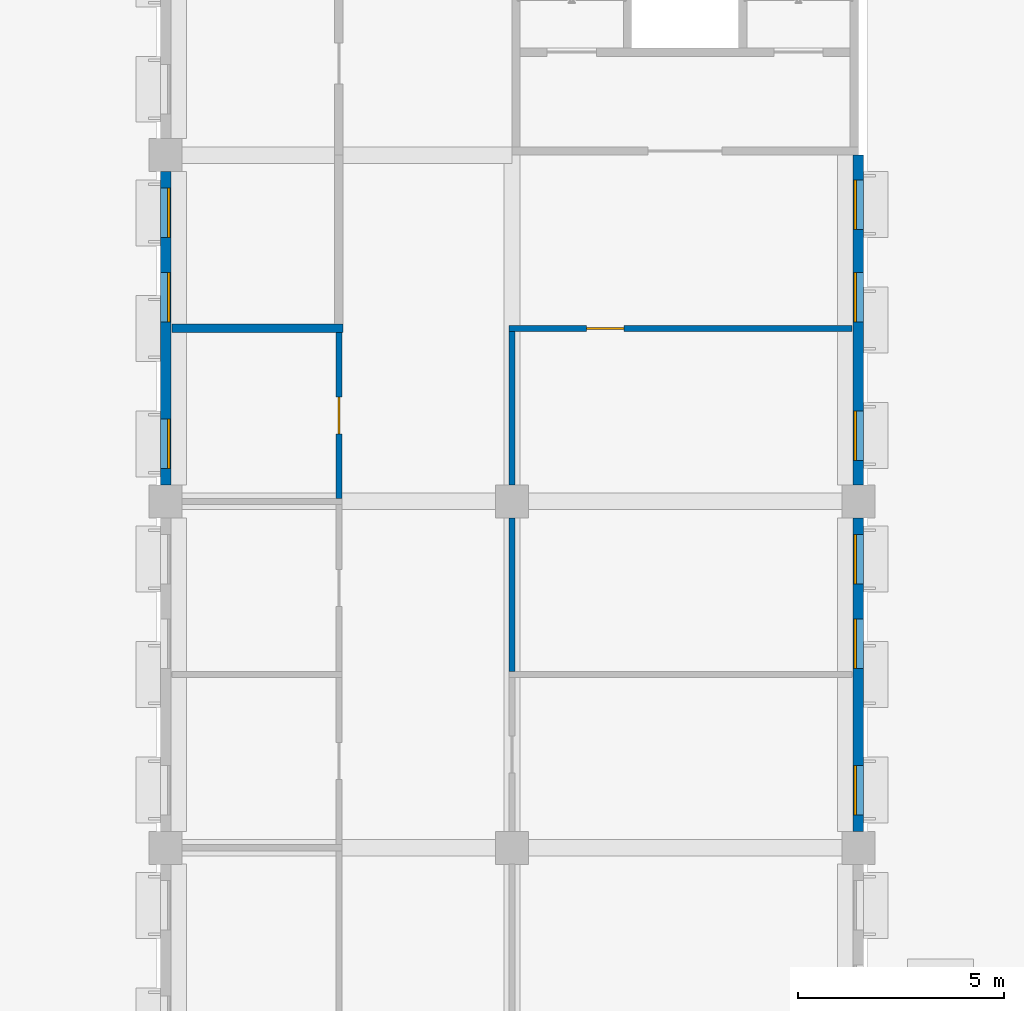
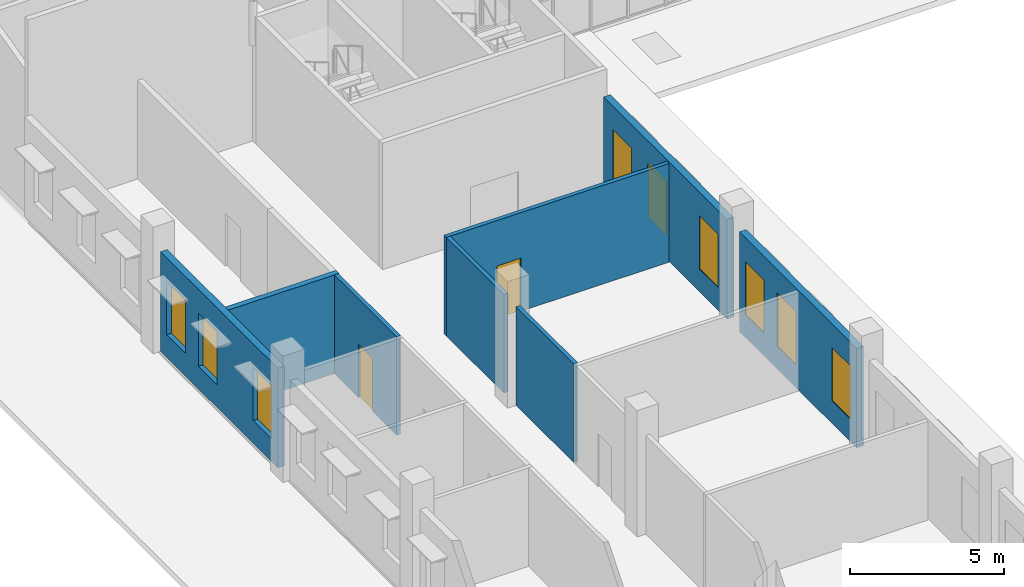
# One storey, part 31 of 101: 9 windows, 8 walls, 2 doors, 11 openings.
"""IFC4 building model written with IfcOpenShell, lengths in metres."""

from ifc_helpers import new_model, si_unit, direction, frame, frame_2d, origin, place, context, subcontext, project, spatial, rectangle, extrude, material, layer, layer_set, type_object, element, fill, save


model = new_model("IFC4")

# Units and contexts
model_context = context("Model", 3, precision=1e-05, world=origin(), true_north=direction((0.0, 1.0)))
body_context = subcontext(model_context, "Body", "Model", "MODEL_VIEW")
ifc_project = project(units=[si_unit("LENGTHUNIT", "METRE"), si_unit("AREAUNIT", "SQUARE_METRE"), si_unit("VOLUMEUNIT", "CUBIC_METRE"), si_unit("PLANEANGLEUNIT", "RADIAN"), si_unit("MASSUNIT", "GRAM", prefix="KILO")], contexts=[model_context])

# Site, building, storey
site_placement = place(None, origin())
site = spatial("IfcSite", under=ifc_project, at=site_placement, CompositionType="ELEMENT")
building_placement = place(site_placement, origin())
building = spatial("IfcBuilding", under=site, at=building_placement, Name="Almond Square Museum", CompositionType="ELEMENT")
storey_placement = place(building_placement, frame((0.0, 0.0, 5.5)))
storey = spatial("IfcBuildingStorey", under=building, at=storey_placement, Name="L01", CompositionType="ELEMENT", Elevation=5.5)

# Wall
ifc_material_1 = material(Name="Concrete blockwork 200", Category="masonry")
ifc_layer_1 = layer(ifc_material_1, 0.199951171875)
ifc_layer_set_1 = layer_set([ifc_layer_1], Name="Concrete blockwork 200")
wall_type_1 = type_object("IfcWallType", Name="Fire partition 200 blockwork", PredefinedType="PARTITIONING", material=ifc_layer_set_1)
wall_1_placement = place(storey_placement, frame((6.14990234375, 63.0, 0.0), z_axis=(0.0, 0.0, 1.0), x_axis=(1.0, 0.0, 0.0)))
element("IfcWall", 1, at=wall_1_placement, inside=storey, type_object=wall_type_1, Name="L01 partition 32", PredefinedType="PARTITIONING", context=body_context, shape_type="SweptSolid", body=[
    extrude(rectangle(XDim=4.150146484375, YDim=0.199951171875, at=frame_2d((2.0751953125, 0.0))), origin(), (0.0, 0.0, 1.0), 3.89990234375),
])

# Wall, opening, door
ifc_material_2 = material(Name="Plasterboard on steel stud", Category="steel")
ifc_layer_2 = layer(ifc_material_2, 0.14990234375)
ifc_layer_set_2 = layer_set([ifc_layer_2], Name="Plasterboard on steel stud")
wall_type_2 = type_object("IfcWallType", Name="Partition 150 plasterboard on steel stud", PredefinedType="PARTITIONING", material=ifc_layer_set_2)
wall_2_placement = place(storey_placement, frame((10.199951171875, 58.875, 0.0), z_axis=(0.0, 0.0, 1.0), x_axis=(0.0, 1.0, 0.0)))
wall_2 = element("IfcWall", 2, at=wall_2_placement, inside=storey, type_object=wall_type_2, Name="L01 partition 42", PredefinedType="PARTITIONING", context=body_context, shape_type="SweptSolid", body=[
    extrude(rectangle(XDim=4.02490234375, YDim=0.14990234375, at=frame_2d((2.012451171875, 0.0))), origin(), (0.0, 0.0, 1.0), 3.89990234375),
])
opening_1_placement = place(wall_2_placement, frame((1.5625, 0.0, 0.0)))
opening_1 = element("IfcOpeningElement", 3, at=opening_1_placement, cuts=wall_2, Name="Opening D1111", PredefinedType="OPENING", context=body_context, shape_type="SweptSolid", body=[
    extrude(rectangle(XDim=0.89990234375, YDim=2.10009765625, at=frame_2d((0.449951171875, 1.050048828125))), frame((0.0, 0.0849609375, 0.0), z_axis=(0.0, -1.0, 0.0), x_axis=(1.0, 0.0, 0.0)), (0.0, 0.0, 1.0), 0.169921875),
])
ifc_material_3 = material(Name="Timber", Category="wood")
door_type = type_object("IfcDoorType", Name="Door 900 x 2100 timber single", OperationType="NOTDEFINED", PredefinedType="DOOR", material=ifc_material_3)
door_1_placement = place(opening_1_placement, origin())
door_1 = element("IfcDoor", 4, at=door_1_placement, inside=storey, type_object=door_type, Name="L01 door Accessible WC 2 to Wing Corridor 3", OperationType="SINGLE_SWING_LEFT", OverallHeight=2.10009765625, OverallWidth=0.89990234375, PredefinedType="DOOR", context=body_context, shape_type="SweptSolid", body=[
    extrude(rectangle(XDim=0.89990234375, YDim=2.10009765625, at=frame_2d((0.449951171875, 1.050048828125))), frame((0.0, 0.02490234375, 0.0), z_axis=(0.0, -1.0, 0.0), x_axis=(1.0, 0.0, 0.0)), (0.0, 0.0, 1.0), 0.050048828125),
])
fill(opening_1, door_1)

wall_3_placement = place(storey_placement, frame((14.324951171875, 63.0, 0.0), z_axis=(0.0, 0.0, 1.0), x_axis=(1.0, 0.0, 0.0)))
wall_3 = element("IfcWall", 5, at=wall_3_placement, inside=storey, type_object=wall_type_2, Name="L01 partition 46", PredefinedType="PARTITIONING", context=body_context, shape_type="SweptSolid", body=[
    extrude(rectangle(XDim=8.324951171875, YDim=0.14990234375, at=frame_2d((4.16259765625, 0.0))), origin(), (0.0, 0.0, 1.0), 3.89990234375),
])
opening_2_placement = place(wall_3_placement, frame((1.887451171875, 0.0, 0.0)))
opening_2 = element("IfcOpeningElement", 6, at=opening_2_placement, cuts=wall_3, Name="Opening D1113", PredefinedType="OPENING", context=body_context, shape_type="SweptSolid", body=[
    extrude(rectangle(XDim=0.89990234375, YDim=2.10009765625, at=frame_2d((0.449951171875, 1.050048828125))), frame((0.0, 0.0849609375, 0.0), z_axis=(0.0, -1.0, 0.0), x_axis=(1.0, 0.0, 0.0)), (0.0, 0.0, 1.0), 0.169921875),
])
door_2_placement = place(opening_2_placement, origin())
door_2 = element("IfcDoor", 7, at=door_2_placement, inside=storey, type_object=door_type, Name="L01 door Study Room 1 to Wing Corridor 3", OperationType="SINGLE_SWING_LEFT", OverallHeight=2.10009765625, OverallWidth=0.89990234375, PredefinedType="DOOR", context=body_context, shape_type="SweptSolid", body=[
    extrude(rectangle(XDim=0.89990234375, YDim=2.10009765625, at=frame_2d((0.449951171875, 1.050048828125))), frame((0.0, 0.02490234375, 0.0), z_axis=(0.0, -1.0, 0.0), x_axis=(1.0, 0.0, 0.0)), (0.0, 0.0, 1.0), 0.050048828125),
])
fill(opening_2, door_2)

# Walls
wall_4_placement = place(storey_placement, frame((14.39990234375, 54.675048828125, 0.0), z_axis=(0.0, 0.0, 1.0), x_axis=(0.0, 1.0, 0.0)))
element("IfcWall", 8, at=wall_4_placement, inside=storey, type_object=wall_type_2, Name="L01 partition 47", PredefinedType="PARTITIONING", context=body_context, shape_type="SweptSolid", body=[
    extrude(rectangle(XDim=3.724853515625, YDim=0.14990234375, at=frame_2d((1.8623046875, 0.0))), origin(), (0.0, 0.0, 1.0), 3.89990234375),
])
wall_5_placement = place(storey_placement, frame((14.39990234375, 59.199951171875, 0.0), z_axis=(0.0, 0.0, 1.0), x_axis=(0.0, 1.0, 0.0)))
element("IfcWall", 9, at=wall_5_placement, inside=storey, type_object=wall_type_2, Name="L01 partition 48", PredefinedType="PARTITIONING", context=body_context, shape_type="SweptSolid", body=[
    extrude(rectangle(XDim=3.72509765625, YDim=0.14990234375, at=frame_2d((1.862548828125, 0.0))), origin(), (0.0, 0.0, 1.0), 3.89990234375),
])

# Wall, openings, windows
ifc_material_4 = material(Name="Precast concrete C40/50", Category="concrete")
ifc_layer_3 = layer(ifc_material_4, 0.25)
ifc_layer_set_3 = layer_set([ifc_layer_3], Name="Precast concrete C40/50")
wall_type_3 = type_object("IfcWallType", Name="Precast concrete panel wall 250 with coral limestone piers", PredefinedType="SOLIDWALL", material=ifc_layer_set_3)
wall_6_placement = place(storey_placement, frame((22.800048828125, 50.800048828125, 0.0), z_axis=(0.0, 0.0, 1.0), x_axis=(0.0, 1.0, 0.0)))
wall_6 = element("IfcWall", 10, at=wall_6_placement, inside=storey, type_object=wall_type_3, Name="External wall W2 V4W L01 E04", PredefinedType="SOLIDWALL", context=body_context, shape_type="SweptSolid", body=[
    extrude(rectangle(XDim=7.599853515625, YDim=0.25, at=frame_2d((3.7998046875, 0.0))), origin(), (0.0, 0.0, 1.0), 3.93994140625),
])
opening_3_placement = place(wall_6_placement, frame((0.39990234375, 0.0, 0.89990234375)))
opening_3 = element("IfcOpeningElement", 11, at=opening_3_placement, cuts=wall_6, Name="Opening W1026", PredefinedType="OPENING", context=body_context, shape_type="SweptSolid", body=[
    extrude(rectangle(XDim=1.199951171875, YDim=2.10009765625, at=frame_2d((0.60009765625, 1.050048828125))), frame((0.0, 0.135009765625, 0.0), z_axis=(0.0, -1.0, 0.0), x_axis=(1.0, 0.0, 0.0)), (0.0, 0.0, 1.0), 0.27001953125),
])
opening_4_placement = place(wall_6_placement, frame((3.949951171875, 0.0, 0.89990234375)))
opening_4 = element("IfcOpeningElement", 12, at=opening_4_placement, cuts=wall_6, Name="Opening W1027", PredefinedType="OPENING", context=body_context, shape_type="SweptSolid", body=[
    extrude(rectangle(XDim=1.199951171875, YDim=2.10009765625, at=frame_2d((0.60009765625, 1.050048828125))), frame((0.0, 0.135009765625, 0.0), z_axis=(0.0, -1.0, 0.0), x_axis=(1.0, 0.0, 0.0)), (0.0, 0.0, 1.0), 0.27001953125),
])
opening_5_placement = place(wall_6_placement, frame((6.0, 0.0, 0.89990234375)))
opening_5 = element("IfcOpeningElement", 13, at=opening_5_placement, cuts=wall_6, Name="Opening W1028", PredefinedType="OPENING", context=body_context, shape_type="SweptSolid", body=[
    extrude(rectangle(XDim=1.199951171875, YDim=2.10009765625, at=frame_2d((0.60009765625, 1.050048828125))), frame((0.0, 0.135009765625, 0.0), z_axis=(0.0, -1.0, 0.0), x_axis=(1.0, 0.0, 0.0)), (0.0, 0.0, 1.0), 0.27001953125),
])
ifc_material_5 = material(Name="Anodised aluminium louvre and laminated glass", Category="aluminium")
window_type = type_object("IfcWindowType", Name="Louvred pier window", PartitioningType="SINGLE_PANEL", PredefinedType="WINDOW", material=ifc_material_5)
window_1_placement = place(opening_3_placement, origin())
window_1 = element("IfcWindow", 14, at=window_1_placement, inside=storey, type_object=window_type, Name="Louvred pier window W1026", OverallHeight=2.10009765625, OverallWidth=1.199951171875, PartitioningType="SINGLE_PANEL", PredefinedType="WINDOW", context=body_context, shape_type="SweptSolid", body=[
    extrude(rectangle(XDim=1.199951171875, YDim=2.10009765625, at=frame_2d((0.60009765625, 1.050048828125))), frame((0.0, 0.10498046875, 0.0), z_axis=(0.0, -1.0, 0.0), x_axis=(1.0, 0.0, 0.0)), (0.0, 0.0, 1.0), 0.06005859375),
])
fill(opening_3, window_1)
window_2_placement = place(opening_4_placement, origin())
window_2 = element("IfcWindow", 15, at=window_2_placement, inside=storey, type_object=window_type, Name="Louvred pier window W1027", OverallHeight=2.10009765625, OverallWidth=1.199951171875, PartitioningType="SINGLE_PANEL", PredefinedType="WINDOW", context=body_context, shape_type="SweptSolid", body=[
    extrude(rectangle(XDim=1.199951171875, YDim=2.10009765625, at=frame_2d((0.60009765625, 1.050048828125))), frame((0.0, 0.10498046875, 0.0), z_axis=(0.0, -1.0, 0.0), x_axis=(1.0, 0.0, 0.0)), (0.0, 0.0, 1.0), 0.06005859375),
])
fill(opening_4, window_2)
window_3_placement = place(opening_5_placement, origin())
window_3 = element("IfcWindow", 16, at=window_3_placement, inside=storey, type_object=window_type, Name="Louvred pier window W1028", OverallHeight=2.10009765625, OverallWidth=1.199951171875, PartitioningType="SINGLE_PANEL", PredefinedType="WINDOW", context=body_context, shape_type="SweptSolid", body=[
    extrude(rectangle(XDim=1.199951171875, YDim=2.10009765625, at=frame_2d((0.60009765625, 1.050048828125))), frame((0.0, 0.10498046875, 0.0), z_axis=(0.0, -1.0, 0.0), x_axis=(1.0, 0.0, 0.0)), (0.0, 0.0, 1.0), 0.06005859375),
])
fill(opening_5, window_3)

wall_7_placement = place(storey_placement, frame((22.800048828125, 59.199951171875, 0.0), z_axis=(0.0, 0.0, 1.0), x_axis=(0.0, 1.0, 0.0)))
wall_7 = element("IfcWall", 17, at=wall_7_placement, inside=storey, type_object=wall_type_3, Name="External wall W2 V4W L01 E05", PredefinedType="SOLIDWALL", context=body_context, shape_type="SweptSolid", body=[
    extrude(rectangle(XDim=8.0, YDim=0.25, at=frame_2d((4.0, 0.0))), origin(), (0.0, 0.0, 1.0), 3.93994140625),
])
opening_6_placement = place(wall_7_placement, frame((0.60009765625, 0.0, 0.89990234375)))
opening_6 = element("IfcOpeningElement", 18, at=opening_6_placement, cuts=wall_7, Name="Opening W1029", PredefinedType="OPENING", context=body_context, shape_type="SweptSolid", body=[
    extrude(rectangle(XDim=1.199951171875, YDim=2.10009765625, at=frame_2d((0.60009765625, 1.050048828125))), frame((0.0, 0.135009765625, 0.0), z_axis=(0.0, -1.0, 0.0), x_axis=(1.0, 0.0, 0.0)), (0.0, 0.0, 1.0), 0.27001953125),
])
opening_7_placement = place(wall_7_placement, frame((3.949951171875, 0.0, 0.89990234375)))
opening_7 = element("IfcOpeningElement", 19, at=opening_7_placement, cuts=wall_7, Name="Opening W1030", PredefinedType="OPENING", context=body_context, shape_type="SweptSolid", body=[
    extrude(rectangle(XDim=1.199951171875, YDim=2.10009765625, at=frame_2d((0.60009765625, 1.050048828125))), frame((0.0, 0.135009765625, 0.0), z_axis=(0.0, -1.0, 0.0), x_axis=(1.0, 0.0, 0.0)), (0.0, 0.0, 1.0), 0.27001953125),
])
opening_8_placement = place(wall_7_placement, frame((6.199951171875, 0.0, 0.89990234375)))
opening_8 = element("IfcOpeningElement", 20, at=opening_8_placement, cuts=wall_7, Name="Opening W1031", PredefinedType="OPENING", context=body_context, shape_type="SweptSolid", body=[
    extrude(rectangle(XDim=1.199951171875, YDim=2.10009765625, at=frame_2d((0.60009765625, 1.050048828125))), frame((0.0, 0.135009765625, 0.0), z_axis=(0.0, -1.0, 0.0), x_axis=(1.0, 0.0, 0.0)), (0.0, 0.0, 1.0), 0.27001953125),
])
window_4_placement = place(opening_6_placement, origin())
window_4 = element("IfcWindow", 21, at=window_4_placement, inside=storey, type_object=window_type, Name="Louvred pier window W1029", OverallHeight=2.10009765625, OverallWidth=1.199951171875, PartitioningType="SINGLE_PANEL", PredefinedType="WINDOW", context=body_context, shape_type="SweptSolid", body=[
    extrude(rectangle(XDim=1.199951171875, YDim=2.10009765625, at=frame_2d((0.60009765625, 1.050048828125))), frame((0.0, 0.10498046875, 0.0), z_axis=(0.0, -1.0, 0.0), x_axis=(1.0, 0.0, 0.0)), (0.0, 0.0, 1.0), 0.06005859375),
])
fill(opening_6, window_4)
window_5_placement = place(opening_7_placement, origin())
window_5 = element("IfcWindow", 22, at=window_5_placement, inside=storey, type_object=window_type, Name="Louvred pier window W1030", OverallHeight=2.10009765625, OverallWidth=1.199951171875, PartitioningType="SINGLE_PANEL", PredefinedType="WINDOW", context=body_context, shape_type="SweptSolid", body=[
    extrude(rectangle(XDim=1.199951171875, YDim=2.10009765625, at=frame_2d((0.60009765625, 1.050048828125))), frame((0.0, 0.10498046875, 0.0), z_axis=(0.0, -1.0, 0.0), x_axis=(1.0, 0.0, 0.0)), (0.0, 0.0, 1.0), 0.06005859375),
])
fill(opening_7, window_5)
window_6_placement = place(opening_8_placement, origin())
window_6 = element("IfcWindow", 23, at=window_6_placement, inside=storey, type_object=window_type, Name="Louvred pier window W1031", OverallHeight=2.10009765625, OverallWidth=1.199951171875, PartitioningType="SINGLE_PANEL", PredefinedType="WINDOW", context=body_context, shape_type="SweptSolid", body=[
    extrude(rectangle(XDim=1.199951171875, YDim=2.10009765625, at=frame_2d((0.60009765625, 1.050048828125))), frame((0.0, 0.10498046875, 0.0), z_axis=(0.0, -1.0, 0.0), x_axis=(1.0, 0.0, 0.0)), (0.0, 0.0, 1.0), 0.06005859375),
])
fill(opening_8, window_6)

wall_8_placement = place(storey_placement, frame((6.0, 59.199951171875, 0.0), z_axis=(0.0, 0.0, 1.0), x_axis=(0.0, 1.0, 0.0)))
wall_8 = element("IfcWall", 24, at=wall_8_placement, inside=storey, type_object=wall_type_3, Name="External wall W2 V4W L01 W02", PredefinedType="SOLIDWALL", context=body_context, shape_type="SweptSolid", body=[
    extrude(rectangle(XDim=7.60009765625, YDim=0.25, at=frame_2d((3.800048828125, 0.0))), origin(), (0.0, 0.0, 1.0), 3.93994140625),
])
opening_9_placement = place(wall_8_placement, frame((0.39990234375, 0.0, 0.89990234375)))
opening_9 = element("IfcOpeningElement", 25, at=opening_9_placement, cuts=wall_8, Name="Opening W1041", PredefinedType="OPENING", context=body_context, shape_type="SweptSolid", body=[
    extrude(rectangle(XDim=1.199951171875, YDim=2.10009765625, at=frame_2d((0.60009765625, 1.050048828125))), frame((0.0, 0.135009765625, 0.0), z_axis=(0.0, -1.0, 0.0), x_axis=(1.0, 0.0, 0.0)), (0.0, 0.0, 1.0), 0.27001953125),
])
opening_10_placement = place(wall_8_placement, frame((3.949951171875, 0.0, 0.89990234375)))
opening_10 = element("IfcOpeningElement", 26, at=opening_10_placement, cuts=wall_8, Name="Opening W1042", PredefinedType="OPENING", context=body_context, shape_type="SweptSolid", body=[
    extrude(rectangle(XDim=1.199951171875, YDim=2.10009765625, at=frame_2d((0.60009765625, 1.050048828125))), frame((0.0, 0.135009765625, 0.0), z_axis=(0.0, -1.0, 0.0), x_axis=(1.0, 0.0, 0.0)), (0.0, 0.0, 1.0), 0.27001953125),
])
opening_11_placement = place(wall_8_placement, frame((6.0, 0.0, 0.89990234375)))
opening_11 = element("IfcOpeningElement", 27, at=opening_11_placement, cuts=wall_8, Name="Opening W1043", PredefinedType="OPENING", context=body_context, shape_type="SweptSolid", body=[
    extrude(rectangle(XDim=1.199951171875, YDim=2.10009765625, at=frame_2d((0.60009765625, 1.050048828125))), frame((0.0, 0.135009765625, 0.0), z_axis=(0.0, -1.0, 0.0), x_axis=(1.0, 0.0, 0.0)), (0.0, 0.0, 1.0), 0.27001953125),
])
window_7_placement = place(opening_9_placement, origin())
window_7 = element("IfcWindow", 28, at=window_7_placement, inside=storey, type_object=window_type, Name="Louvred pier window W1041", OverallHeight=2.10009765625, OverallWidth=1.199951171875, PartitioningType="SINGLE_PANEL", PredefinedType="WINDOW", context=body_context, shape_type="SweptSolid", body=[
    extrude(rectangle(XDim=1.199951171875, YDim=2.10009765625, at=frame_2d((0.60009765625, 1.050048828125))), frame((0.0, -0.044921875, 0.0), z_axis=(0.0, -1.0, 0.0), x_axis=(1.0, 0.0, 0.0)), (0.0, 0.0, 1.0), 0.06005859375),
])
fill(opening_9, window_7)
window_8_placement = place(opening_10_placement, origin())
window_8 = element("IfcWindow", 29, at=window_8_placement, inside=storey, type_object=window_type, Name="Louvred pier window W1042", OverallHeight=2.10009765625, OverallWidth=1.199951171875, PartitioningType="SINGLE_PANEL", PredefinedType="WINDOW", context=body_context, shape_type="SweptSolid", body=[
    extrude(rectangle(XDim=1.199951171875, YDim=2.10009765625, at=frame_2d((0.60009765625, 1.050048828125))), frame((0.0, -0.044921875, 0.0), z_axis=(0.0, -1.0, 0.0), x_axis=(1.0, 0.0, 0.0)), (0.0, 0.0, 1.0), 0.06005859375),
])
fill(opening_10, window_8)
window_9_placement = place(opening_11_placement, origin())
window_9 = element("IfcWindow", 30, at=window_9_placement, inside=storey, type_object=window_type, Name="Louvred pier window W1043", OverallHeight=2.10009765625, OverallWidth=1.199951171875, PartitioningType="SINGLE_PANEL", PredefinedType="WINDOW", context=body_context, shape_type="SweptSolid", body=[
    extrude(rectangle(XDim=1.199951171875, YDim=2.10009765625, at=frame_2d((0.60009765625, 1.050048828125))), frame((0.0, -0.044921875, 0.0), z_axis=(0.0, -1.0, 0.0), x_axis=(1.0, 0.0, 0.0)), (0.0, 0.0, 1.0), 0.06005859375),
])
fill(opening_11, window_9)

save(model, "model.ifc")
